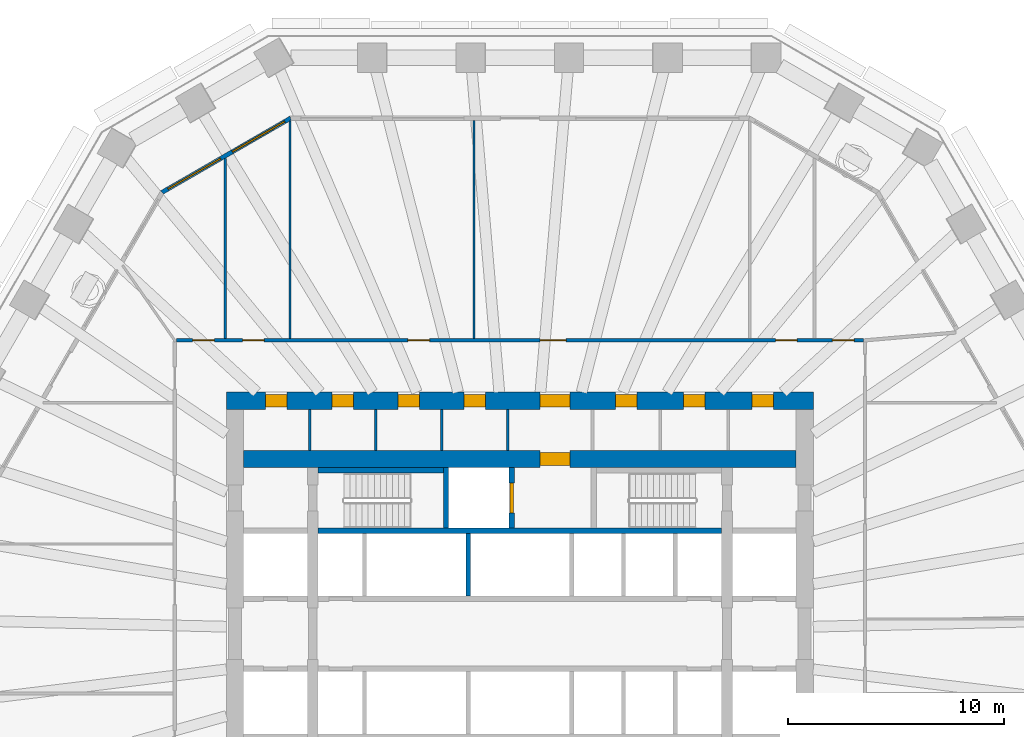
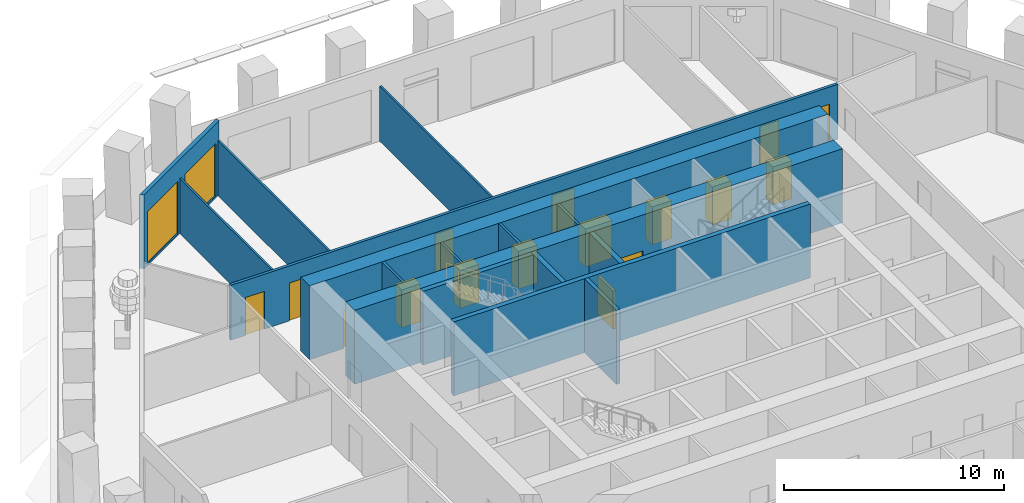
# One storey, part 7 of 13: 16 doors, 16 walls, 2 windows, 18 openings.
"""IFC4 building model written with IfcOpenShell, lengths in metres."""

from ifc_helpers import new_model, si_unit, direction, frame, frame_2d, origin, place, context, subcontext, project, spatial, polyline, rectangle, outline, extrude, material, layer, layer_set, type_object, element, fill, save


model = new_model("IFC4")

# Units and contexts
model_context = context("Model", 3, precision=1e-05, world=origin(), true_north=direction((0.0, 1.0)))
body_context = subcontext(model_context, "Body", "Model", "MODEL_VIEW")
ifc_project = project(units=[si_unit("LENGTHUNIT", "METRE"), si_unit("AREAUNIT", "SQUARE_METRE"), si_unit("VOLUMEUNIT", "CUBIC_METRE"), si_unit("PLANEANGLEUNIT", "RADIAN"), si_unit("MASSUNIT", "GRAM", prefix="KILO")], contexts=[model_context])

# Site, building, storey
site_placement = place(None, origin())
site = spatial("IfcSite", under=ifc_project, at=site_placement, CompositionType="ELEMENT")
building_placement = place(site_placement, origin())
building = spatial("IfcBuilding", under=site, at=building_placement, Name="Frailejon Research Tower", CompositionType="ELEMENT")
storey_placement = place(building_placement, frame((0.0, 0.0, 102.800048828125)))
storey = spatial("IfcBuildingStorey", under=building, at=storey_placement, Name="L22", CompositionType="ELEMENT", Elevation=102.800048828125)

# Walls
ifc_material_1 = material(Name="Plasterboard on steel studs", Category="steel")
ifc_layer_1 = layer(ifc_material_1, 0.125)
ifc_layer_set_1 = layer_set([ifc_layer_1], Name="Core partition 125")
wall_type_1 = type_object("IfcWallType", Name="Core partition 125", PredefinedType="PARTITIONING", material=ifc_layer_set_1)
for number, where, z_axis, x_axis, name in (
    (1, (-9.740478515625, 8.5, 0.0), (0.0, 0.0, 1.0), (0.0, 1.0, 0.0), "Core partition"),
    (2, (-6.68115234375, 8.5, 0.0), (0.0, 0.0, 1.0), (0.0, 1.0, 0.0), "Core partition"),
    (3, (-3.621826171875, 8.5, 0.0), (0.0, 0.0, 1.0), (0.0, 1.0, 0.0), "Core partition"),
    (4, (-0.5625, 8.5, 0.0), (0.0, 0.0, 1.0), (0.0, 1.0, 0.0), "Core partition"),
):
    element("IfcWall", number, at=place(storey_placement, frame(where, z_axis=z_axis, x_axis=x_axis)), inside=storey, type_object=wall_type_1, Name=name, PredefinedType="PARTITIONING", context=body_context, shape_type="SweptSolid", body=[
        extrude(rectangle(XDim=1.89990234375, YDim=0.125, at=frame_2d((0.949951171875, 0.0))), origin(), (0.0, 0.0, 1.0), 4.099853515625),
    ])

# Wall, openings, doors
ifc_material_2 = material(Name="Concrete C70/85", Category="concrete")
ifc_layer_2 = layer(ifc_material_2, 0.800048828125)
ifc_layer_set_2 = layer_set([ifc_layer_2], Name="Core shear wall 800 C70/85")
wall_type_2 = type_object("IfcWallType", Name="Core shear wall 800 C70/85", PredefinedType="SHEAR", material=ifc_layer_set_2)
wall_1_placement = place(storey_placement, frame((-13.60009765625, 10.800048828125, 0.0), z_axis=(0.0, 0.0, 1.0), x_axis=(1.0, 0.0, 0.0)))
wall_1 = element("IfcWall", 5, at=wall_1_placement, inside=storey, type_object=wall_type_2, Name="Core shear wall", PredefinedType="SHEAR", context=body_context, shape_type="SweptSolid", body=[
    extrude(rectangle(XDim=27.2001953125, YDim=0.800048828125, at=frame_2d((13.60009765625, 0.0))), origin(), (0.0, 0.0, 1.0), 4.099853515625),
])
opening_1_placement = place(wall_1_placement, frame((1.79833984375, 0.0, 0.0)))
opening_1 = element("IfcOpeningElement", 6, at=opening_1_placement, cuts=wall_1, Name="Opening D4", PredefinedType="OPENING", context=body_context, shape_type="SweptSolid", body=[
    extrude(rectangle(XDim=1.0, YDim=2.10009765625, at=frame_2d((0.5, 1.050048828125))), frame((0.0, 0.409912109375, 0.0), z_axis=(0.0, -1.0, 0.0), x_axis=(1.0, 0.0, 0.0)), (0.0, 0.0, 1.0), 0.820068359375),
])
opening_2_placement = place(wall_1_placement, frame((4.88916015625, 0.0, 0.0)))
opening_2 = element("IfcOpeningElement", 7, at=opening_2_placement, cuts=wall_1, Name="Opening D4", PredefinedType="OPENING", context=body_context, shape_type="SweptSolid", body=[
    extrude(rectangle(XDim=1.0, YDim=2.10009765625, at=frame_2d((0.5, 1.050048828125))), frame((0.0, 0.409912109375, 0.0), z_axis=(0.0, -1.0, 0.0), x_axis=(1.0, 0.0, 0.0)), (0.0, 0.0, 1.0), 0.820068359375),
])
opening_3_placement = place(wall_1_placement, frame((7.948486328125, 0.0, 0.0)))
opening_3 = element("IfcOpeningElement", 8, at=opening_3_placement, cuts=wall_1, Name="Opening D4", PredefinedType="OPENING", context=body_context, shape_type="SweptSolid", body=[
    extrude(rectangle(XDim=1.0, YDim=2.10009765625, at=frame_2d((0.5, 1.050048828125))), frame((0.0, 0.409912109375, 0.0), z_axis=(0.0, -1.0, 0.0), x_axis=(1.0, 0.0, 0.0)), (0.0, 0.0, 1.0), 0.820068359375),
])
opening_4_placement = place(wall_1_placement, frame((11.0078125, 0.0, 0.0)))
opening_4 = element("IfcOpeningElement", 9, at=opening_4_placement, cuts=wall_1, Name="Opening D4", PredefinedType="OPENING", context=body_context, shape_type="SweptSolid", body=[
    extrude(rectangle(XDim=1.0, YDim=2.10009765625, at=frame_2d((0.5, 1.050048828125))), frame((0.0, 0.409912109375, 0.0), z_axis=(0.0, -1.0, 0.0), x_axis=(1.0, 0.0, 0.0)), (0.0, 0.0, 1.0), 0.820068359375),
])
opening_5_placement = place(wall_1_placement, frame((18.035400390625, 0.0, 0.0)))
opening_5 = element("IfcOpeningElement", 10, at=opening_5_placement, cuts=wall_1, Name="Opening D4", PredefinedType="OPENING", context=body_context, shape_type="SweptSolid", body=[
    extrude(rectangle(XDim=1.0, YDim=2.10009765625, at=frame_2d((0.5, 1.050048828125))), frame((0.0, 0.409912109375, 0.0), z_axis=(0.0, -1.0, 0.0), x_axis=(1.0, 0.0, 0.0)), (0.0, 0.0, 1.0), 0.820068359375),
])
opening_6_placement = place(wall_1_placement, frame((21.18115234375, 0.0, 0.0)))
opening_6 = element("IfcOpeningElement", 11, at=opening_6_placement, cuts=wall_1, Name="Opening D4", PredefinedType="OPENING", context=body_context, shape_type="SweptSolid", body=[
    extrude(rectangle(XDim=1.0, YDim=2.10009765625, at=frame_2d((0.5, 1.050048828125))), frame((0.0, 0.409912109375, 0.0), z_axis=(0.0, -1.0, 0.0), x_axis=(1.0, 0.0, 0.0)), (0.0, 0.0, 1.0), 0.820068359375),
])
opening_7_placement = place(wall_1_placement, frame((24.3583984375, 0.0, 0.0)))
opening_7 = element("IfcOpeningElement", 12, at=opening_7_placement, cuts=wall_1, Name="Opening D4", PredefinedType="OPENING", context=body_context, shape_type="SweptSolid", body=[
    extrude(rectangle(XDim=1.0, YDim=2.10009765625, at=frame_2d((0.5, 1.050048828125))), frame((0.0, 0.409912109375, 0.0), z_axis=(0.0, -1.0, 0.0), x_axis=(1.0, 0.0, 0.0)), (0.0, 0.0, 1.0), 0.820068359375),
])
opening_8_placement = place(wall_1_placement, frame((14.52490234375, 0.0, 0.0)))
opening_8 = element("IfcOpeningElement", 13, at=opening_8_placement, cuts=wall_1, Name="Opening D9", PredefinedType="OPENING", context=body_context, shape_type="SweptSolid", body=[
    extrude(rectangle(XDim=1.39990234375, YDim=2.10009765625, at=frame_2d((0.699951171875, 1.050048828125))), frame((0.0, 0.409912109375, 0.0), z_axis=(0.0, -1.0, 0.0), x_axis=(1.0, 0.0, 0.0)), (0.0, 0.0, 1.0), 0.820068359375),
])
ifc_material_3 = material(Name="Steel", Category="steel")
door_type_1 = type_object("IfcDoorType", Name="Goods lobby door", OperationType="DOUBLE_DOOR_SINGLE_SWING", PredefinedType="DOOR", material=ifc_material_3)
door_1_placement = place(opening_8_placement, origin())
door_1 = element("IfcDoor", 14, at=door_1_placement, inside=storey, type_object=door_type_1, Name="Passage door", OperationType="DOUBLE_DOOR_SINGLE_SWING", OverallHeight=2.10009765625, OverallWidth=1.39990234375, PredefinedType="DOOR", context=body_context, shape_type="SweptSolid", body=[
    extrude(rectangle(XDim=1.39990234375, YDim=2.10009765625, at=frame_2d((0.699951171875, 1.050048828125))), frame((0.0, 0.300048828125, 0.0), z_axis=(0.0, -1.0, 0.0), x_axis=(1.0, 0.0, 0.0)), (0.0, 0.0, 1.0), 0.60009765625),
])
fill(opening_8, door_1)
ifc_material_4 = material(Name="Steel", Category="steel")
door_type_2 = type_object("IfcDoorType", Name="Service door", OperationType="SINGLE_SWING_LEFT", PredefinedType="DOOR", material=ifc_material_4)
door_2_placement = place(opening_1_placement, origin())
door_2 = element("IfcDoor", 15, at=door_2_placement, inside=storey, type_object=door_type_2, Name="Room door", OperationType="SINGLE_SWING_LEFT", OverallHeight=2.10009765625, OverallWidth=1.0, PredefinedType="DOOR", context=body_context, shape_type="SweptSolid", body=[
    extrude(rectangle(XDim=1.0, YDim=2.10009765625, at=frame_2d((0.5, 1.050048828125))), frame((0.0, 0.300048828125, 0.0), z_axis=(0.0, -1.0, 0.0), x_axis=(1.0, 0.0, 0.0)), (0.0, 0.0, 1.0), 0.60009765625),
])
fill(opening_1, door_2)
door_3_placement = place(opening_2_placement, origin())
door_3 = element("IfcDoor", 16, at=door_3_placement, inside=storey, type_object=door_type_2, Name="Room door", OperationType="SINGLE_SWING_RIGHT", OverallHeight=2.10009765625, OverallWidth=1.0, PredefinedType="DOOR", context=body_context, shape_type="SweptSolid", body=[
    extrude(rectangle(XDim=1.0, YDim=2.10009765625, at=frame_2d((0.5, 1.050048828125))), frame((0.0, 0.300048828125, 0.0), z_axis=(0.0, -1.0, 0.0), x_axis=(1.0, 0.0, 0.0)), (0.0, 0.0, 1.0), 0.60009765625),
])
fill(opening_2, door_3)
door_4_placement = place(opening_3_placement, origin())
door_4 = element("IfcDoor", 17, at=door_4_placement, inside=storey, type_object=door_type_2, Name="Room door", OperationType="SINGLE_SWING_LEFT", OverallHeight=2.10009765625, OverallWidth=1.0, PredefinedType="DOOR", context=body_context, shape_type="SweptSolid", body=[
    extrude(rectangle(XDim=1.0, YDim=2.10009765625, at=frame_2d((0.5, 1.050048828125))), frame((0.0, 0.300048828125, 0.0), z_axis=(0.0, -1.0, 0.0), x_axis=(1.0, 0.0, 0.0)), (0.0, 0.0, 1.0), 0.60009765625),
])
fill(opening_3, door_4)
door_5_placement = place(opening_4_placement, origin())
door_5 = element("IfcDoor", 18, at=door_5_placement, inside=storey, type_object=door_type_2, Name="Room door", OperationType="SINGLE_SWING_RIGHT", OverallHeight=2.10009765625, OverallWidth=1.0, PredefinedType="DOOR", context=body_context, shape_type="SweptSolid", body=[
    extrude(rectangle(XDim=1.0, YDim=2.10009765625, at=frame_2d((0.5, 1.050048828125))), frame((0.0, 0.300048828125, 0.0), z_axis=(0.0, -1.0, 0.0), x_axis=(1.0, 0.0, 0.0)), (0.0, 0.0, 1.0), 0.60009765625),
])
fill(opening_4, door_5)
door_6_placement = place(opening_5_placement, origin())
door_6 = element("IfcDoor", 19, at=door_6_placement, inside=storey, type_object=door_type_2, Name="Room door", OperationType="SINGLE_SWING_LEFT", OverallHeight=2.10009765625, OverallWidth=1.0, PredefinedType="DOOR", context=body_context, shape_type="SweptSolid", body=[
    extrude(rectangle(XDim=1.0, YDim=2.10009765625, at=frame_2d((0.5, 1.050048828125))), frame((0.0, 0.300048828125, 0.0), z_axis=(0.0, -1.0, 0.0), x_axis=(1.0, 0.0, 0.0)), (0.0, 0.0, 1.0), 0.60009765625),
])
fill(opening_5, door_6)
door_7_placement = place(opening_6_placement, origin())
door_7 = element("IfcDoor", 20, at=door_7_placement, inside=storey, type_object=door_type_2, Name="Room door", OperationType="SINGLE_SWING_RIGHT", OverallHeight=2.10009765625, OverallWidth=1.0, PredefinedType="DOOR", context=body_context, shape_type="SweptSolid", body=[
    extrude(rectangle(XDim=1.0, YDim=2.10009765625, at=frame_2d((0.5, 1.050048828125))), frame((0.0, 0.300048828125, 0.0), z_axis=(0.0, -1.0, 0.0), x_axis=(1.0, 0.0, 0.0)), (0.0, 0.0, 1.0), 0.60009765625),
])
fill(opening_6, door_7)
door_8_placement = place(opening_7_placement, origin())
door_8 = element("IfcDoor", 21, at=door_8_placement, inside=storey, type_object=door_type_2, Name="Room door", OperationType="SINGLE_SWING_LEFT", OverallHeight=2.10009765625, OverallWidth=1.0, PredefinedType="DOOR", context=body_context, shape_type="SweptSolid", body=[
    extrude(rectangle(XDim=1.0, YDim=2.10009765625, at=frame_2d((0.5, 1.050048828125))), frame((0.0, 0.300048828125, 0.0), z_axis=(0.0, -1.0, 0.0), x_axis=(1.0, 0.0, 0.0)), (0.0, 0.0, 1.0), 0.60009765625),
])
fill(opening_7, door_8)

# Wall, opening, door
wall_2_placement = place(storey_placement, frame((-12.800048828125, 8.10009765625, 0.0), z_axis=(0.0, 0.0, 1.0), x_axis=(1.0, 0.0, 0.0)))
wall_2 = element("IfcWall", 22, at=wall_2_placement, inside=storey, type_object=wall_type_2, Name="Core shear wall", PredefinedType="SHEAR", context=body_context, shape_type="SweptSolid", body=[
    extrude(rectangle(XDim=25.60009765625, YDim=0.800048828125, at=frame_2d((12.800048828125, 0.0))), origin(), (0.0, 0.0, 1.0), 4.099853515625),
])
opening_9_placement = place(wall_2_placement, frame((13.72509765625, 0.0, 0.0)))
opening_9 = element("IfcOpeningElement", 23, at=opening_9_placement, cuts=wall_2, Name="Opening D9", PredefinedType="OPENING", context=body_context, shape_type="SweptSolid", body=[
    extrude(rectangle(XDim=1.39990234375, YDim=2.10009765625, at=frame_2d((0.699951171875, 1.050048828125))), frame((0.0, 0.409912109375, 0.0), z_axis=(0.0, -1.0, 0.0), x_axis=(1.0, 0.0, 0.0)), (0.0, 0.0, 1.0), 0.820068359375),
])
door_9_placement = place(opening_9_placement, origin())
door_9 = element("IfcDoor", 24, at=door_9_placement, inside=storey, type_object=door_type_1, Name="Goods lobby door", OperationType="DOUBLE_DOOR_SINGLE_SWING", OverallHeight=2.10009765625, OverallWidth=1.39990234375, PredefinedType="DOOR", context=body_context, shape_type="SweptSolid", body=[
    extrude(rectangle(XDim=1.39990234375, YDim=2.10009765625, at=frame_2d((0.699951171875, 1.050048828125))), frame((0.0, 0.300048828125, 0.0), z_axis=(0.0, -1.0, 0.0), x_axis=(1.0, 0.0, 0.0)), (0.0, 0.0, 1.0), 0.60009765625),
])
fill(opening_9, door_9)

# Wall, openings, doors
ifc_material_5 = material(Name="Gypsum board and masonry partition", Category="masonry")
ifc_layer_3 = layer(ifc_material_5, 0.14990234375)
ifc_layer_set_3 = layer_set([ifc_layer_3], Name="Corridor wall EI 60, gypsum on steel studs 150")
wall_type_3 = type_object("IfcWallType", Name="Corridor wall EI 60, gypsum on steel studs 150", PredefinedType="PARTITIONING", material=ifc_layer_set_3)
wall_3_placement = place(storey_placement, frame((-15.925048828125, 13.60009765625, 0.0), z_axis=(0.0, 0.0, 1.0), x_axis=(1.0, 0.0, 0.0)))
wall_3 = element("IfcWall", 25, at=wall_3_placement, inside=storey, type_object=wall_type_3, Name="T:IW:L22:002", PredefinedType="PARTITIONING", context=body_context, shape_type="SweptSolid", body=[
    extrude(rectangle(XDim=31.85009765625, YDim=0.14990234375, at=frame_2d((15.925048828125, 0.0))), origin(), (0.0, 0.0, 1.0), 3.050048828125),
])
opening_10_placement = place(wall_3_placement, frame((30.413818359375, 0.0, 0.0)))
opening_10 = element("IfcOpeningElement", 26, at=opening_10_placement, cuts=wall_3, Name="Opening D1577", PredefinedType="OPENING", context=body_context, shape_type="SweptSolid", body=[
    extrude(rectangle(XDim=1.0, YDim=2.10009765625, at=frame_2d((0.5, 1.050048828125))), frame((0.0, 0.0849609375, 0.0), z_axis=(0.0, -1.0, 0.0), x_axis=(1.0, 0.0, 0.0)), (0.0, 0.0, 1.0), 0.169921875),
])
opening_11_placement = place(wall_3_placement, frame((27.774658203125, 0.0, 0.0)))
opening_11 = element("IfcOpeningElement", 27, at=opening_11_placement, cuts=wall_3, Name="Opening D1578", PredefinedType="OPENING", context=body_context, shape_type="SweptSolid", body=[
    extrude(rectangle(XDim=1.0, YDim=2.10009765625, at=frame_2d((0.5, 1.050048828125))), frame((0.0, 0.0849609375, 0.0), z_axis=(0.0, -1.0, 0.0), x_axis=(1.0, 0.0, 0.0)), (0.0, 0.0, 1.0), 0.169921875),
])
opening_12_placement = place(wall_3_placement, frame((16.865478515625, 0.0, 0.0)))
opening_12 = element("IfcOpeningElement", 28, at=opening_12_placement, cuts=wall_3, Name="Opening D1579", PredefinedType="OPENING", context=body_context, shape_type="SweptSolid", body=[
    extrude(rectangle(XDim=1.199951171875, YDim=2.10009765625, at=frame_2d((0.60009765625, 1.050048828125))), frame((0.0, 0.0849609375, 0.0), z_axis=(0.0, -1.0, 0.0), x_axis=(1.0, 0.0, 0.0)), (0.0, 0.0, 1.0), 0.169921875),
])
opening_13_placement = place(wall_3_placement, frame((10.738037109375, 0.0, 0.0)))
opening_13 = element("IfcOpeningElement", 29, at=opening_13_placement, cuts=wall_3, Name="Opening D1580", PredefinedType="OPENING", context=body_context, shape_type="SweptSolid", body=[
    extrude(rectangle(XDim=1.0, YDim=2.10009765625, at=frame_2d((0.5, 1.050048828125))), frame((0.0, 0.0849609375, 0.0), z_axis=(0.0, -1.0, 0.0), x_axis=(1.0, 0.0, 0.0)), (0.0, 0.0, 1.0), 0.169921875),
])
opening_14_placement = place(wall_3_placement, frame((3.0751953125, 0.0, 0.0)))
opening_14 = element("IfcOpeningElement", 30, at=opening_14_placement, cuts=wall_3, Name="Opening D1581", PredefinedType="OPENING", context=body_context, shape_type="SweptSolid", body=[
    extrude(rectangle(XDim=1.0, YDim=2.10009765625, at=frame_2d((0.5, 1.050048828125))), frame((0.0, 0.0849609375, 0.0), z_axis=(0.0, -1.0, 0.0), x_axis=(1.0, 0.0, 0.0)), (0.0, 0.0, 1.0), 0.169921875),
])
opening_15_placement = place(wall_3_placement, frame((0.7587890625, 0.0, 0.0)))
opening_15 = element("IfcOpeningElement", 31, at=opening_15_placement, cuts=wall_3, Name="Opening D1582", PredefinedType="OPENING", context=body_context, shape_type="SweptSolid", body=[
    extrude(rectangle(XDim=1.0, YDim=2.10009765625, at=frame_2d((0.5, 1.050048828125))), frame((0.0, 0.0849609375, 0.0), z_axis=(0.0, -1.0, 0.0), x_axis=(1.0, 0.0, 0.0)), (0.0, 0.0, 1.0), 0.169921875),
])
ifc_material_6 = material(Name="Timber door leaf", Category="wood")
door_type_3 = type_object("IfcDoorType", Name="Door laboratory, timber, vision panel 1000", OperationType="NOTDEFINED", PredefinedType="DOOR", material=ifc_material_6)
door_10_placement = place(opening_10_placement, origin())
door_10 = element("IfcDoor", 32, at=door_10_placement, inside=storey, type_object=door_type_3, Name="D1577", OperationType="SINGLE_SWING_LEFT", OverallHeight=2.10009765625, OverallWidth=1.0, PredefinedType="DOOR", context=body_context, shape_type="SweptSolid", body=[
    extrude(rectangle(XDim=1.0, YDim=2.10009765625, at=frame_2d((0.5, 1.050048828125))), frame((0.0, 0.02490234375, 0.0), z_axis=(0.0, -1.0, 0.0), x_axis=(1.0, 0.0, 0.0)), (0.0, 0.0, 1.0), 0.050048828125),
])
fill(opening_10, door_10)
ifc_material_7 = material(Name="Timber door leaf", Category="wood")
door_type_4 = type_object("IfcDoorType", Name="Door single leaf, timber, steel frame 1000", OperationType="NOTDEFINED", PredefinedType="DOOR", material=ifc_material_7)
door_11_placement = place(opening_11_placement, origin())
door_11 = element("IfcDoor", 33, at=door_11_placement, inside=storey, type_object=door_type_4, Name="D1578", OperationType="SINGLE_SWING_RIGHT", OverallHeight=2.10009765625, OverallWidth=1.0, PredefinedType="DOOR", context=body_context, shape_type="SweptSolid", body=[
    extrude(rectangle(XDim=1.0, YDim=2.10009765625, at=frame_2d((0.5, 1.050048828125))), frame((0.0, 0.02490234375, 0.0), z_axis=(0.0, -1.0, 0.0), x_axis=(1.0, 0.0, 0.0)), (0.0, 0.0, 1.0), 0.050048828125),
])
fill(opening_11, door_11)
door_12_placement = place(opening_13_placement, origin())
door_12 = element("IfcDoor", 34, at=door_12_placement, inside=storey, type_object=door_type_4, Name="D1580", OperationType="SINGLE_SWING_RIGHT", OverallHeight=2.10009765625, OverallWidth=1.0, PredefinedType="DOOR", context=body_context, shape_type="SweptSolid", body=[
    extrude(rectangle(XDim=1.0, YDim=2.10009765625, at=frame_2d((0.5, 1.050048828125))), frame((0.0, 0.02490234375, 0.0), z_axis=(0.0, -1.0, 0.0), x_axis=(1.0, 0.0, 0.0)), (0.0, 0.0, 1.0), 0.050048828125),
])
fill(opening_13, door_12)
door_13_placement = place(opening_14_placement, origin())
door_13 = element("IfcDoor", 35, at=door_13_placement, inside=storey, type_object=door_type_4, Name="D1581", OperationType="SINGLE_SWING_LEFT", OverallHeight=2.10009765625, OverallWidth=1.0, PredefinedType="DOOR", context=body_context, shape_type="SweptSolid", body=[
    extrude(rectangle(XDim=1.0, YDim=2.10009765625, at=frame_2d((0.5, 1.050048828125))), frame((0.0, 0.02490234375, 0.0), z_axis=(0.0, -1.0, 0.0), x_axis=(1.0, 0.0, 0.0)), (0.0, 0.0, 1.0), 0.050048828125),
])
fill(opening_14, door_13)
door_14_placement = place(opening_15_placement, origin())
door_14 = element("IfcDoor", 36, at=door_14_placement, inside=storey, type_object=door_type_4, Name="D1582", OperationType="SINGLE_SWING_LEFT", OverallHeight=2.10009765625, OverallWidth=1.0, PredefinedType="DOOR", context=body_context, shape_type="SweptSolid", body=[
    extrude(rectangle(XDim=1.0, YDim=2.10009765625, at=frame_2d((0.5, 1.050048828125))), frame((0.0, 0.02490234375, 0.0), z_axis=(0.0, -1.0, 0.0), x_axis=(1.0, 0.0, 0.0)), (0.0, 0.0, 1.0), 0.050048828125),
])
fill(opening_15, door_14)
ifc_material_8 = material(Name="Timber door leaf", Category="wood")
door_type_5 = type_object("IfcDoorType", Name="Door single leaf, timber, steel frame 1200", OperationType="NOTDEFINED", PredefinedType="DOOR", material=ifc_material_8)
door_15_placement = place(opening_12_placement, origin())
door_15 = element("IfcDoor", 37, at=door_15_placement, inside=storey, type_object=door_type_5, Name="D1579", OperationType="DOUBLE_DOOR_SINGLE_SWING", OverallHeight=2.10009765625, OverallWidth=1.199951171875, PredefinedType="DOOR", context=body_context, shape_type="SweptSolid", body=[
    extrude(rectangle(XDim=1.199951171875, YDim=2.10009765625, at=frame_2d((0.60009765625, 1.050048828125))), frame((0.0, 0.02490234375, 0.0), z_axis=(0.0, -1.0, 0.0), x_axis=(1.0, 0.0, 0.0)), (0.0, 0.0, 1.0), 0.050048828125),
])
fill(opening_12, door_15)

# Walls
ifc_material_9 = material(Name="Gypsum board and masonry partition", Category="masonry")
ifc_layer_4 = layer(ifc_material_9, 0.10009765625)
ifc_layer_set_4 = layer_set([ifc_layer_4], Name="Partition, gypsum on steel studs 100")
wall_type_4 = type_object("IfcWallType", Name="Partition, gypsum on steel studs 100", PredefinedType="PARTITIONING", material=ifc_layer_set_4)
wall_4_placement = place(storey_placement, frame((-2.130859375, 13.675048828125, 0.0), z_axis=(0.0, 0.0, 1.0), x_axis=(0.0, 1.0, 0.0)))
element("IfcWall", 38, at=wall_4_placement, inside=storey, type_object=wall_type_4, Name="T:IW:L22:015", PredefinedType="PARTITIONING", context=body_context, shape_type="SweptSolid", body=[
    extrude(rectangle(XDim=10.125, YDim=0.10009765625, at=frame_2d((5.0625, 0.0))), origin(), (0.0, 0.0, 1.0), 3.050048828125),
])
wall_5_placement = place(storey_placement, frame((-10.65478515625, 13.675048828125, 0.0), z_axis=(0.0, 0.0, 1.0), x_axis=(0.0, 1.0, 0.0)))
element("IfcWall", 39, at=wall_5_placement, inside=storey, type_object=wall_type_4, Name="T:IW:L22:016", PredefinedType="PARTITIONING", context=body_context, shape_type="SweptSolid", body=[
    extrude(rectangle(XDim=10.093994140625, YDim=0.10009765625, at=frame_2d((5.046875, 0.0))), origin(), (0.0, 0.0, 1.0), 3.050048828125),
])
wall_6_placement = place(storey_placement, frame((-13.65478515625, 13.675048828125, 0.0), z_axis=(0.0, 0.0, 1.0), x_axis=(0.0, 1.0, 0.0)))
element("IfcWall", 40, at=wall_6_placement, inside=storey, type_object=wall_type_4, Name="T:IW:L22:017", PredefinedType="PARTITIONING", context=body_context, shape_type="SweptSolid", body=[
    extrude(rectangle(XDim=8.362060546875, YDim=0.10009765625, at=frame_2d((4.18115234375, 0.0))), origin(), (0.0, 0.0, 1.0), 3.050048828125),
])
ifc_material_10 = material(Name="Concrete C70/85", Category="concrete")
ifc_layer_5 = layer(ifc_material_10, 0.199951171875)
ifc_layer_set_5 = layer_set([ifc_layer_5], Name="Shaft wall 200 C70/85")
wall_type_5 = type_object("IfcWallType", Name="Shaft wall 200 C70/85", PredefinedType="SOLIDWALL", material=ifc_layer_set_5)
wall_7_placement = place(storey_placement, frame((-2.39990234375, 1.75, 0.0), z_axis=(0.0, 0.0, 1.0), x_axis=(0.0, 1.0, 0.0)))
element("IfcWall", 41, at=wall_7_placement, inside=storey, type_object=wall_type_5, Name="Shaft wall", PredefinedType="SOLIDWALL", context=body_context, shape_type="SweptSolid", body=[
    extrude(rectangle(XDim=2.89990234375, YDim=0.199951171875, at=frame_2d((1.449951171875, 0.0))), origin(), (0.0, 0.0, 1.0), 4.099853515625),
])
ifc_material_11 = material(Name="Concrete C70/85", Category="concrete")
ifc_layer_6 = layer(ifc_material_11, 0.25)
ifc_layer_set_6 = layer_set([ifc_layer_6], Name="Shaft wall 250 C70/85")
wall_type_6 = type_object("IfcWallType", Name="Shaft wall 250 C70/85", PredefinedType="SOLIDWALL", material=ifc_layer_set_6)
wall_8_placement = place(storey_placement, frame((-9.35009765625, 4.77490234375, 0.0), z_axis=(0.0, 0.0, 1.0), x_axis=(1.0, 0.0, 0.0)))
element("IfcWall", 42, at=wall_8_placement, inside=storey, type_object=wall_type_6, Name="Shaft wall", PredefinedType="SOLIDWALL", context=body_context, shape_type="SweptSolid", body=[
    extrude(rectangle(XDim=18.7001953125, YDim=0.25, at=frame_2d((9.35009765625, 0.0))), origin(), (0.0, 0.0, 1.0), 4.099853515625),
])
wall_9_placement = place(storey_placement, frame((-9.35009765625, 7.574951171875, 0.0), z_axis=(0.0, 0.0, 1.0), x_axis=(1.0, 0.0, 0.0)))
element("IfcWall", 43, at=wall_9_placement, inside=storey, type_object=wall_type_6, Name="Shaft wall", PredefinedType="SOLIDWALL", context=body_context, shape_type="SweptSolid", body=[
    extrude(rectangle(XDim=5.800048828125, YDim=0.25, at=frame_2d((2.89990234375, 0.0))), origin(), (0.0, 0.0, 1.0), 4.099853515625),
])
wall_10_placement = place(storey_placement, frame((-3.425048828125, 4.89990234375, 0.0), z_axis=(0.0, 0.0, 1.0), x_axis=(0.0, 1.0, 0.0)))
element("IfcWall", 44, at=wall_10_placement, inside=storey, type_object=wall_type_6, Name="Shaft wall", PredefinedType="SOLIDWALL", context=body_context, shape_type="SweptSolid", body=[
    extrude(rectangle(XDim=2.800048828125, YDim=0.25, at=frame_2d((1.39990234375, 0.0))), origin(), (0.0, 0.0, 1.0), 4.099853515625),
])

# Wall, opening, door
wall_11_placement = place(storey_placement, frame((-0.375, 4.89990234375, 0.0), z_axis=(0.0, 0.0, 1.0), x_axis=(0.0, 1.0, 0.0)))
wall_11 = element("IfcWall", 45, at=wall_11_placement, inside=storey, type_object=wall_type_6, Name="Shaft wall", PredefinedType="SOLIDWALL", context=body_context, shape_type="SweptSolid", body=[
    extrude(rectangle(XDim=2.800048828125, YDim=0.25, at=frame_2d((1.39990234375, 0.0))), origin(), (0.0, 0.0, 1.0), 4.099853515625),
])
opening_16_placement = place(wall_11_placement, frame((0.699951171875, 0.0, 0.0)))
opening_16 = element("IfcOpeningElement", 46, at=opening_16_placement, cuts=wall_11, Name="Opening LD2", PredefinedType="OPENING", context=body_context, shape_type="SweptSolid", body=[
    extrude(rectangle(XDim=1.39990234375, YDim=2.10009765625, at=frame_2d((0.699951171875, 1.050048828125))), frame((0.0, 0.135009765625, 0.0), z_axis=(0.0, -1.0, 0.0), x_axis=(1.0, 0.0, 0.0)), (0.0, 0.0, 1.0), 0.27001953125),
])
ifc_material_12 = material(Name="Stainless steel", Category="steel")
door_type_6 = type_object("IfcDoorType", Name="Goods landing door", OperationType="DOUBLE_DOOR_SLIDING", PredefinedType="DOOR", material=ifc_material_12)
door_16_placement = place(opening_16_placement, origin())
door_16 = element("IfcDoor", 47, at=door_16_placement, inside=storey, type_object=door_type_6, Name="Lift landing door", OperationType="DOUBLE_DOOR_SLIDING", OverallHeight=2.10009765625, OverallWidth=1.39990234375, PredefinedType="DOOR", context=body_context, shape_type="SweptSolid", body=[
    extrude(rectangle(XDim=1.39990234375, YDim=2.10009765625, at=frame_2d((0.699951171875, 1.050048828125))), frame((0.0, 0.074951171875, 0.0), z_axis=(0.0, -1.0, 0.0), x_axis=(1.0, 0.0, 0.0)), (0.0, 0.0, 1.0), 0.14990234375),
])
fill(opening_16, door_16)

# Wall, openings, windows
ifc_material_13 = material(Name="Concrete C40/50 precast window wall panel", Category="concrete")
ifc_layer_7 = layer(ifc_material_13, 0.199951171875)
ifc_layer_set_7 = layer_set([ifc_layer_7], Name="Window wall 200")
wall_type_7 = type_object("IfcWallType", Name="Window wall 200", PredefinedType="SOLIDWALL", material=ifc_layer_set_7)
wall_12_placement = place(storey_placement, frame((-10.6279296875, 23.89990234375, 0.0), z_axis=(0.0, 0.0, 1.0), x_axis=(-0.866029458321, -0.49999297727, 0.0)))
wall_12 = element("IfcWall", 48, at=wall_12_placement, inside=storey, type_object=wall_type_7, Name="Exterior wall L22", PredefinedType="SOLIDWALL", context=body_context, shape_type="SweptSolid", body=[
    extrude(outline(polyline([(-0.02685546875, -0.10009765625), (1.1279296875, -0.10009765625), (2.282470703125, -0.10009765625), (3.437255859375, -0.10009765625), (4.592041015625, -0.10009765625), (5.74658203125, -0.10009765625), (6.9013671875, -0.10009765625), (6.84765625, 0.10009765625), (5.7109375, 0.10009765625), (4.573974609375, 0.10009765625), (3.437255859375, 0.10009765625), (2.300537109375, 0.10009765625), (1.16357421875, 0.10009765625), (0.02685546875, 0.10009765625), (-0.02685546875, -0.10009765625)])), origin(), (0.0, 0.0, 1.0), 4.099853515625),
])
opening_17_placement = place(wall_12_placement, frame((0.318603515625, 0.0, 0.10009765625)))
opening_17 = element("IfcOpeningElement", 49, at=opening_17_placement, cuts=wall_12, Name="Opening W3", PredefinedType="OPENING", context=body_context, shape_type="SweptSolid", body=[
    extrude(rectangle(XDim=2.800048828125, YDim=2.89990234375, at=frame_2d((1.39990234375, 1.449951171875))), frame((0.0, 0.10986328125, 0.0), z_axis=(0.0, -1.0, 0.0), x_axis=(1.0, 0.0, 0.0)), (0.0, 0.0, 1.0), 0.219970703125),
])
opening_18_placement = place(wall_12_placement, frame((3.756103515625, 0.0, 0.10009765625)))
opening_18 = element("IfcOpeningElement", 50, at=opening_18_placement, cuts=wall_12, Name="Opening W3", PredefinedType="OPENING", context=body_context, shape_type="SweptSolid", body=[
    extrude(rectangle(XDim=2.800048828125, YDim=2.89990234375, at=frame_2d((1.39990234375, 1.449951171875))), frame((0.0, 0.10986328125, 0.0), z_axis=(0.0, -1.0, 0.0), x_axis=(1.0, 0.0, 0.0)), (0.0, 0.0, 1.0), 0.219970703125),
])
ifc_material_14 = material(Name="Aluminium framed double glazing", Category="aluminium")
window_type = type_object("IfcWindowType", Name="Window 2800x2900", PartitioningType="SINGLE_PANEL", PredefinedType="WINDOW", material=ifc_material_14)
window_1_placement = place(opening_17_placement, origin())
window_1 = element("IfcWindow", 51, at=window_1_placement, inside=storey, type_object=window_type, Name="Window L22", OverallHeight=2.89990234375, OverallWidth=2.800048828125, PartitioningType="SINGLE_PANEL", PredefinedType="WINDOW", context=body_context, shape_type="SweptSolid", body=[
    extrude(rectangle(XDim=2.800048828125, YDim=2.89990234375, at=frame_2d((1.39990234375, 1.449951171875))), frame((0.0, 0.030029296875, 0.0), z_axis=(0.0, -1.0, 0.0), x_axis=(1.0, 0.0, 0.0)), (0.0, 0.0, 1.0), 0.06005859375),
])
fill(opening_17, window_1)
window_2_placement = place(opening_18_placement, origin())
window_2 = element("IfcWindow", 52, at=window_2_placement, inside=storey, type_object=window_type, Name="Window L22", OverallHeight=2.89990234375, OverallWidth=2.800048828125, PartitioningType="SINGLE_PANEL", PredefinedType="WINDOW", context=body_context, shape_type="SweptSolid", body=[
    extrude(rectangle(XDim=2.800048828125, YDim=2.89990234375, at=frame_2d((1.39990234375, 1.449951171875))), frame((0.0, 0.030029296875, 0.0), z_axis=(0.0, -1.0, 0.0), x_axis=(1.0, 0.0, 0.0)), (0.0, 0.0, 1.0), 0.06005859375),
])
fill(opening_18, window_2)

save(model, "model.ifc")
